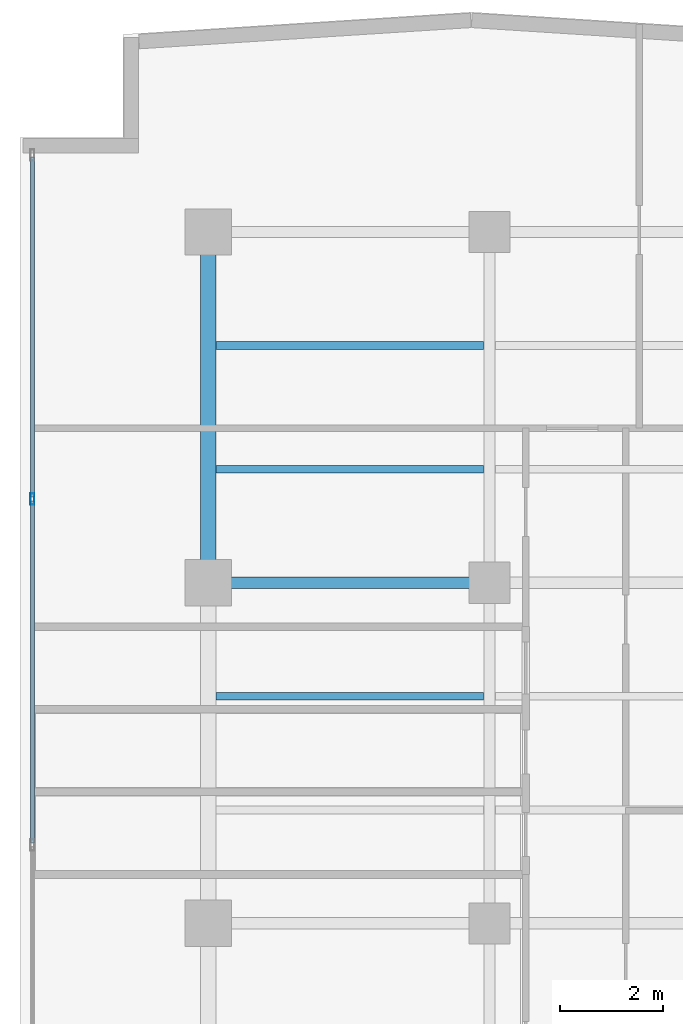
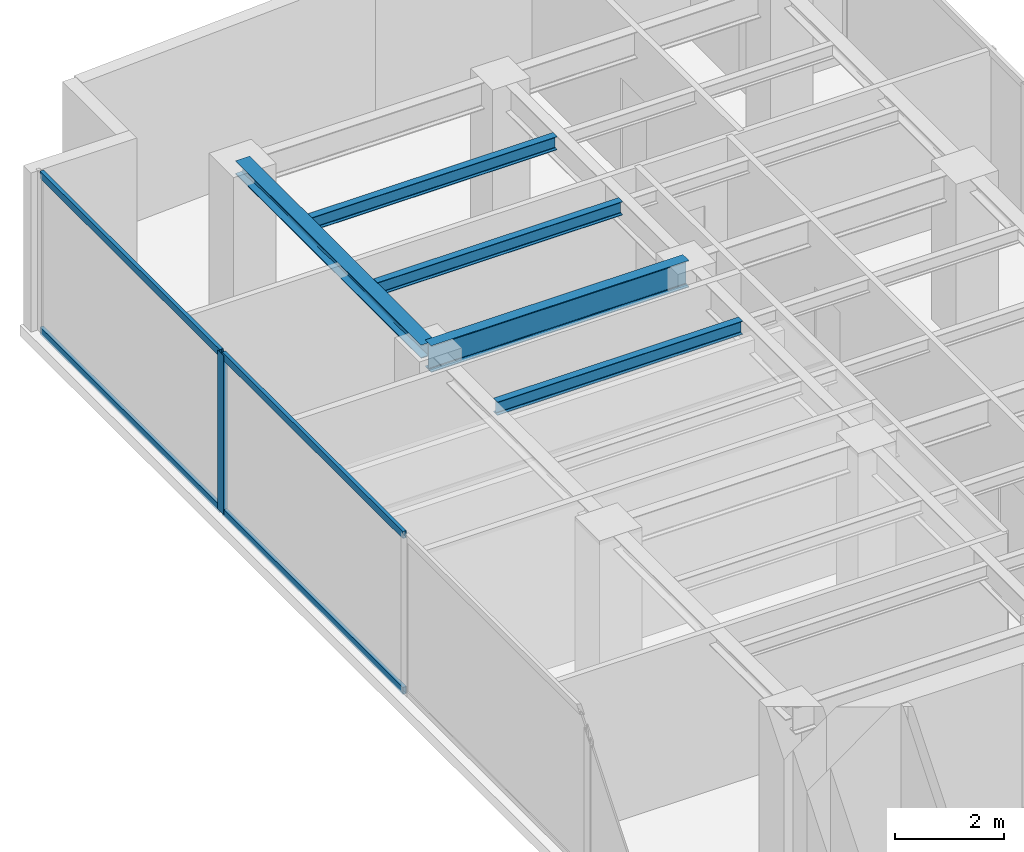
# One storey, part 13 of 24: 5 beams, 5 members, 1 element without a shape of its own.
"""IFC4 building model written with IfcOpenShell, lengths in metres."""

from ifc_helpers import new_model, si_unit, direction, frame, origin, origin_with_axes, origin_2d, place, context, subcontext, project, spatial, hollow_rectangle, i_section, extrude, source, transform, mapped, material, layer, layer_set, material_profile, profile_set, type_object, element, aggregate, save


model = new_model("IFC4")

# Units and contexts
model_context = context("Model", 3, precision=1e-05, world=origin(), true_north=direction((0.0, 1.0)))
body_context = subcontext(model_context, "Body", "Model", "MODEL_VIEW")
ifc_project = project(units=[si_unit("LENGTHUNIT", "METRE"), si_unit("AREAUNIT", "SQUARE_METRE"), si_unit("VOLUMEUNIT", "CUBIC_METRE"), si_unit("PLANEANGLEUNIT", "RADIAN"), si_unit("MASSUNIT", "GRAM", prefix="KILO")], contexts=[model_context])

# Site, building, storey
site_placement = place(None, origin())
site = spatial("IfcSite", under=ifc_project, at=site_placement, CompositionType="ELEMENT")
building_placement = place(site_placement, origin())
building = spatial("IfcBuilding", under=site, at=building_placement, Name="Kolvaren Waterfront Exchange", CompositionType="ELEMENT")
storey_placement = place(building_placement, frame((0.0, 0.0, 300.800048828125)))
storey = spatial("IfcBuildingStorey", under=building, at=storey_placement, Name="L77", CompositionType="ELEMENT", Elevation=300.800048828125)

# Beams
ifc_material_1 = material(Name="Steel S355", Category="steel")
ifc_material_profile_1 = material_profile(ifc_material_1, i_section(OverallWidth=0.300048828125, OverallDepth=0.300048828125, WebThickness=0.010986328125, FlangeThickness=0.01904296875, FilletRadius=0.027099609375, at=origin_2d()), Name="HEB300")
ifc_profile_set_1 = profile_set([ifc_material_profile_1], Name="Steel S355")
beam_type_1 = type_object("IfcBeamType", Name="STR-BM-HEB300", PredefinedType="SPANDREL", material=ifc_profile_set_1)
beam_1_placement = place(storey_placement, frame((7.449951171875, 37.800048828125, 3.409912109375), z_axis=(0.0, 1.0, 0.0), x_axis=(-1.0, 0.0, 0.0)))
element("IfcBeam", 1, at=beam_1_placement, inside=storey, type_object=beam_type_1, Name="L77 north-arm edge beam 3", PredefinedType="SPANDREL", context=body_context, shape_type="SweptSolid", body=[
    extrude(i_section(OverallWidth=0.300048828125, OverallDepth=0.300048828125, WebThickness=0.010986328125, FlangeThickness=0.01904296875, FilletRadius=0.027099609375, at=origin_2d()), origin(), (0.0, 0.0, 1.0), 6.800048828125),
])
ifc_material_profile_2 = material_profile(ifc_material_1, i_section(OverallWidth=0.14990234375, OverallDepth=0.300048828125, WebThickness=0.007080078125, FlangeThickness=0.0107421875, FilletRadius=0.014892578125, at=origin_2d()), Name="IPE300")
ifc_profile_set_2 = profile_set([ifc_material_profile_2], Name="Steel S355")
beam_type_2 = type_object("IfcBeamType", Name="STR-BM-IPE300", PredefinedType="JOIST", material=ifc_profile_set_2)
for number, where, z_axis, x_axis, name in (
    (2, (7.60205078125, 35.60009765625, 3.409912109375), (1.0, 0.0, 0.0), (0.0, 1.0, 0.0), "L77 north-arm composite joist 4A"),
    (3, (7.60205078125, 40.0, 3.409912109375), (1.0, 0.0, 0.0), (0.0, 1.0, 0.0), "L77 north-arm composite joist 5A"),
    (4, (7.60205078125, 42.39990234375, 3.409912109375), (1.0, 0.0, 0.0), (0.0, 1.0, 0.0), "L77 north-arm composite joist 6A"),
):
    element("IfcBeam", number, at=place(storey_placement, frame(where, z_axis=z_axis, x_axis=x_axis)), inside=storey, type_object=beam_type_2, Name=name, PredefinedType="JOIST", context=body_context, shape_type="SweptSolid", body=[
        extrude(i_section(OverallWidth=0.14990234375, OverallDepth=0.300048828125, WebThickness=0.007080078125, FlangeThickness=0.0107421875, FilletRadius=0.014892578125, at=origin_2d()), origin(), (0.0, 0.0, 1.0), 5.18603515625),
    ])
ifc_material_profile_3 = material_profile(ifc_material_1, i_section(OverallWidth=0.219970703125, OverallDepth=0.60009765625, WebThickness=0.011962890625, FlangeThickness=0.01904296875, FilletRadius=0.02392578125, at=origin_2d()), Name="IPE600")
ifc_profile_set_3 = profile_set([ifc_material_profile_3], Name="Steel S355")
beam_type_3 = type_object("IfcBeamType", Name="STR-BM-IPE600", PredefinedType="BEAM", material=ifc_profile_set_3)
beam_2_placement = place(storey_placement, frame((7.449951171875, 37.800048828125, 3.260009765625), z_axis=(1.0, 0.0, 0.0), x_axis=(0.0, 1.0, 0.0)))
element("IfcBeam", 5, at=beam_2_placement, inside=storey, type_object=beam_type_3, Name="L77 north-arm girder 3A", PredefinedType="BEAM", context=body_context, shape_type="SweptSolid", body=[
    extrude(i_section(OverallWidth=0.219970703125, OverallDepth=0.60009765625, WebThickness=0.011962890625, FlangeThickness=0.01904296875, FilletRadius=0.02392578125, at=origin_2d()), origin(), (0.0, 0.0, 1.0), 5.449951171875),
])

# Curtain wall, members
ifc_material_2 = material(Name="Anodised aluminium 6063-T6", Category="aluminium")
ifc_layer = layer(ifc_material_2, 0.219970703125, Name="Anodised aluminium 6063-T6")
ifc_layer_set = layer_set([ifc_layer], Name="Anodised aluminium 6063-T6")
curtain_wall_type = type_object("IfcCurtainWallType", Name="ARC-CW-SYS2", PredefinedType="USERDEFINED", material=ifc_layer_set)
curtain_wall_placement = place(storey_placement, origin())
curtain_wall = element("IfcCurtainWall", 6, at=curtain_wall_placement, inside=storey, type_object=curtain_wall_type, Name="L77 stick curtain wall CW2 (CW-L77-W)", ObjectType="STICK CURTAIN WALL", PredefinedType="USERDEFINED")
ifc_material_profile_4 = material_profile(ifc_material_2, hollow_rectangle(XDim=0.080078125, YDim=0.219970703125, WallThickness=0.0048828125, at=origin_2d()), Name="ALU-MUL-220x80x5")
ifc_profile_set_4 = profile_set([ifc_material_profile_4], Name="Anodised aluminium 6063-T6")
member_type_1 = type_object("IfcMemberType", Name="ARC-CWM-220", PredefinedType="MULLION", material=ifc_profile_set_4)
shared_shape_1 = source(origin_with_axes(), body_context, "Body", "SweptSolid", [
    extrude(hollow_rectangle(XDim=0.080078125, YDim=0.219970703125, WallThickness=0.0048828125, at=origin_2d()), origin(), (0.0, 0.0, 1.0), 3.56005859375),
])
member_1_placement = place(storey_placement, frame((4.0400390625, 39.42626953125, 0.0), z_axis=(0.0, 0.0, 1.0), x_axis=(-1.0, 0.0, 0.0)))
member_1 = element("IfcMember", 7, at=member_1_placement, type_object=member_type_1, Name="CW2 mullion 6", PredefinedType="MULLION", context=body_context, shape_type="MappedRepresentation", body=[
    mapped(shared_shape_1, transform((0.0, 0.0, 0.0), x_axis=(1.0, 0.0, 0.0), y_axis=(0.0, 1.0, 0.0), z_axis=(0.0, 0.0, 1.0), scale=1.0)),
])
ifc_material_profile_5 = material_profile(ifc_material_2, hollow_rectangle(XDim=0.074951171875, YDim=0.159912109375, WallThickness=0.00439453125, at=origin_2d()), Name="ALU-TRN-160x75x4.5")
ifc_profile_set_5 = profile_set([ifc_material_profile_5], Name="Anodised aluminium 6063-T6")
member_type_2 = type_object("IfcMemberType", Name="ARC-CWT-160", PredefinedType="USERDEFINED", material=ifc_profile_set_5)
shared_shape_2 = source(origin_with_axes(), body_context, "Body", "SweptSolid", [
    extrude(hollow_rectangle(XDim=0.074951171875, YDim=0.159912109375, WallThickness=0.00439453125, at=origin_2d()), origin(), (0.0, 0.0, 1.0), 6.585205078125),
])
member_2_placement = place(storey_placement, frame((4.0400390625, 39.46630859375, 0.037353515625), z_axis=(0.0, 1.0, 0.0), x_axis=(-1.0, 0.0, 0.0)))
member_2 = element("IfcMember", 8, at=member_2_placement, type_object=member_type_2, Name="CW2 transom 6.1", ObjectType="TRANSOM", PredefinedType="USERDEFINED", context=body_context, shape_type="MappedRepresentation", body=[
    mapped(shared_shape_2, transform((0.0, 0.0, 0.0), x_axis=(1.0, 0.0, 0.0), y_axis=(0.0, 1.0, 0.0), z_axis=(0.0, 0.0, 1.0), scale=1.0)),
])
member_3_placement = place(storey_placement, frame((4.0400390625, 39.46630859375, 3.5224609375), z_axis=(0.0, 1.0, 0.0), x_axis=(-1.0, 0.0, 0.0)))
member_3 = element("IfcMember", 9, at=member_3_placement, type_object=member_type_2, Name="CW2 transom 6.2", ObjectType="TRANSOM", PredefinedType="USERDEFINED", context=body_context, shape_type="MappedRepresentation", body=[
    mapped(shared_shape_2, transform((0.0, 0.0, 0.0), x_axis=(1.0, 0.0, 0.0), y_axis=(0.0, 1.0, 0.0), z_axis=(0.0, 0.0, 1.0), scale=1.0)),
])
shared_shape_3 = source(origin_with_axes(), body_context, "Body", "SweptSolid", [
    extrude(hollow_rectangle(XDim=0.074951171875, YDim=0.159912109375, WallThickness=0.00439453125, at=origin_2d()), origin(), (0.0, 0.0, 1.0), 6.625244140625),
])
member_4_placement = place(storey_placement, frame((4.0400390625, 32.760986328125, 0.037353515625), z_axis=(0.0, 1.0, 0.0), x_axis=(-1.0, 0.0, 0.0)))
member_4 = element("IfcMember", 10, at=member_4_placement, type_object=member_type_2, Name="CW2 transom 5.1", ObjectType="TRANSOM", PredefinedType="USERDEFINED", context=body_context, shape_type="MappedRepresentation", body=[
    mapped(shared_shape_3, transform((0.0, 0.0, 0.0), x_axis=(1.0, 0.0, 0.0), y_axis=(0.0, 1.0, 0.0), z_axis=(0.0, 0.0, 1.0), scale=1.0)),
])
member_5_placement = place(storey_placement, frame((4.0400390625, 32.760986328125, 3.5224609375), z_axis=(0.0, 1.0, 0.0), x_axis=(-1.0, 0.0, 0.0)))
member_5 = element("IfcMember", 11, at=member_5_placement, type_object=member_type_2, Name="CW2 transom 5.2", ObjectType="TRANSOM", PredefinedType="USERDEFINED", context=body_context, shape_type="MappedRepresentation", body=[
    mapped(shared_shape_3, transform((0.0, 0.0, 0.0), x_axis=(1.0, 0.0, 0.0), y_axis=(0.0, 1.0, 0.0), z_axis=(0.0, 0.0, 1.0), scale=1.0)),
])
aggregate(curtain_wall, [member_1, member_4, member_5, member_2, member_3])

save(model, "model.ifc")
